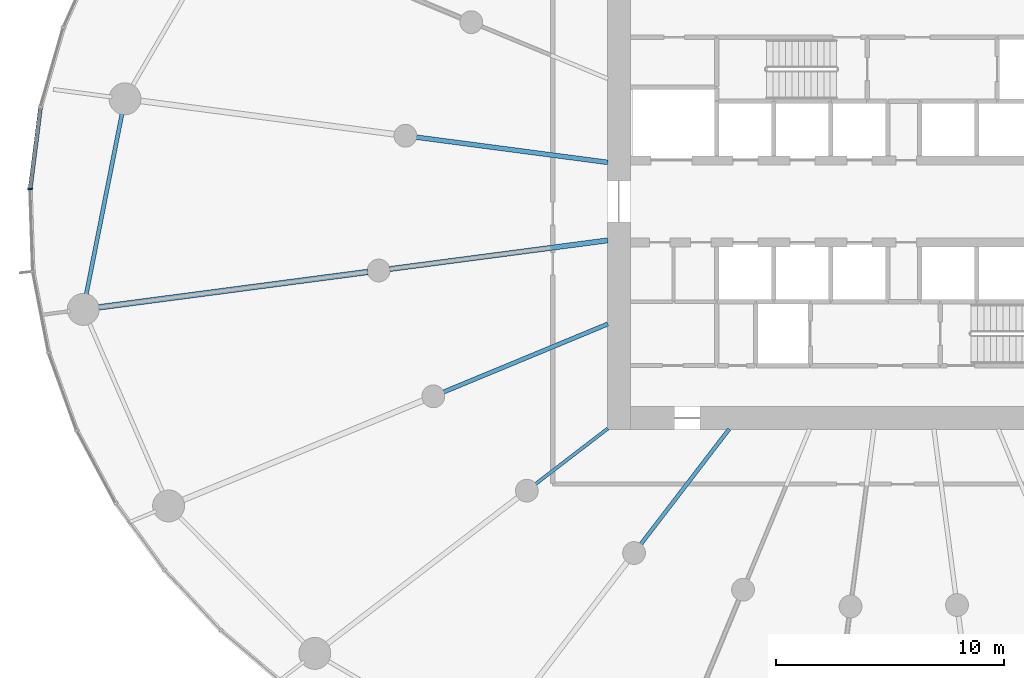
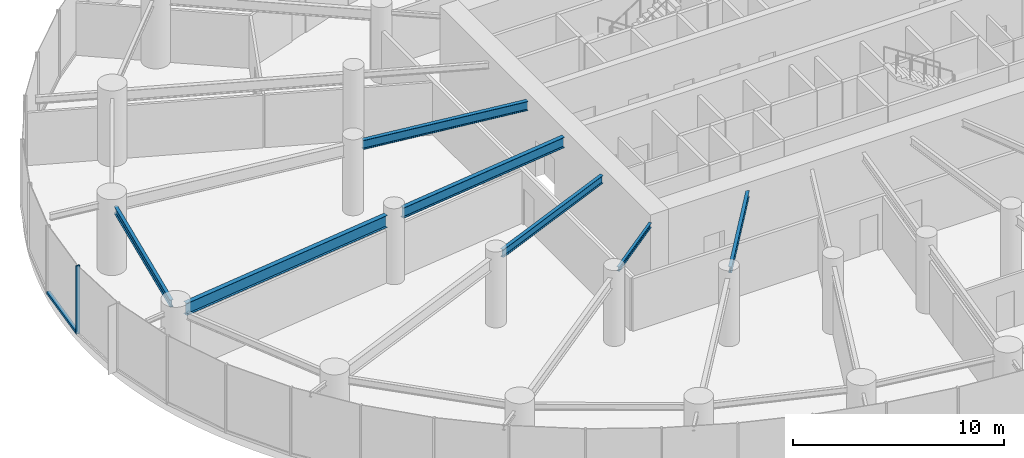
# One storey, part 3 of 19: 7 beams, 2 members, 1 element without a shape of its own.
"""IFC4 building model written with IfcOpenShell, lengths in metres."""

from ifc_helpers import new_model, si_unit, direction, frame, origin, origin_2d, place, context, subcontext, project, spatial, rectangle, i_section, extrude, source, transform, mapped, material, layer, layer_set, material_profile, profile_set, type_object, element, aggregate, save


model = new_model("IFC4")

# Units and contexts
model_context = context("Model", 3, precision=1e-05, world=origin(), true_north=direction((0.0, 1.0)))
body_context = subcontext(model_context, "Body", "Model", "MODEL_VIEW")
ifc_project = project(units=[si_unit("LENGTHUNIT", "METRE"), si_unit("AREAUNIT", "SQUARE_METRE"), si_unit("VOLUMEUNIT", "CUBIC_METRE"), si_unit("PLANEANGLEUNIT", "RADIAN"), si_unit("MASSUNIT", "GRAM", prefix="KILO")], contexts=[model_context])

# Site, building, storey
site_placement = place(None, origin())
site = spatial("IfcSite", under=ifc_project, at=site_placement, CompositionType="ELEMENT")
building_placement = place(site_placement, origin())
building = spatial("IfcBuilding", under=site, at=building_placement, Name="Spindrift Exchange Tower", CompositionType="ELEMENT")
storey_placement = place(building_placement, frame((0.0, 0.0, 27.0)))
storey = spatial("IfcBuildingStorey", under=building, at=storey_placement, Name="L06", CompositionType="ELEMENT", Elevation=27.0)

# Beams
ifc_material_1 = material(Name="Steel Grade 300", Category="steel")
ifc_material_profile_1 = material_profile(ifc_material_1, i_section(OverallWidth=0.22802734375, OverallDepth=0.60693359375, WebThickness=0.01123046875, FlangeThickness=0.017333984375, FilletRadius=0.013916015625, at=origin_2d()), Name="610UB113")
ifc_profile_set_1 = profile_set([ifc_material_profile_1], Name="Steel Grade 300")
beam_type_1 = type_object("IfcBeamType", Name="Floor Beam 610UB113 Steel Grade 300", PredefinedType="BEAM", material=ifc_profile_set_1)
shared_shape_1 = source(origin(), body_context, "Body", "SweptSolid", [
    extrude(i_section(OverallWidth=0.22802734375, OverallDepth=0.60693359375, WebThickness=0.01123046875, FlangeThickness=0.017333984375, FilletRadius=0.013916015625, at=origin_2d()), origin(), (0.0, 0.0, 1.0), 9.660400390625),
])
beam_1_placement = place(storey_placement, frame((39.019775390625, 46.291015625, 3.646484375), z_axis=(-0.99144767089, -0.130504850054, 0.0), x_axis=(0.130504850054, -0.99144767089, 0.0)))
element("IfcBeam", 1, at=beam_1_placement, inside=storey, type_object=beam_type_1, Name="L06 radial beam R13A", PredefinedType="BEAM", context=body_context, shape_type="MappedRepresentation", body=[
    mapped(shared_shape_1, transform((0.0, 0.0, 0.0), scale=1.0)),
])
ifc_material_profile_2 = material_profile(ifc_material_1, i_section(OverallWidth=0.25, OverallDepth=0.699951171875, WebThickness=0.008056640625, FlangeThickness=0.011962890625, at=origin_2d()), Name="700WB115")
ifc_profile_set_2 = profile_set([ifc_material_profile_2], Name="Steel Grade 300")
beam_type_2 = type_object("IfcBeamType", Name="Floor Beam 700WB115 Steel Grade 300", PredefinedType="BEAM", material=ifc_profile_set_2)
shared_shape_2 = source(origin(), body_context, "Body", "SweptSolid", [
    extrude(i_section(OverallWidth=0.25, OverallDepth=0.699951171875, WebThickness=0.008056640625, FlangeThickness=0.011962890625, at=origin_2d()), origin(), (0.0, 0.0, 1.0), 12.00830078125),
])
beam_2_placement = place(storey_placement, frame((28.490234375, 44.90478515625, 3.60009765625), z_axis=(-0.991444950947, -0.130525511844, 0.0), x_axis=(0.130525511844, -0.991444950947, 0.0)))
element("IfcBeam", 2, at=beam_2_placement, inside=storey, type_object=beam_type_2, Name="L06 radial beam R13B", PredefinedType="BEAM", context=body_context, shape_type="MappedRepresentation", body=[
    mapped(shared_shape_2, transform((0.0, 0.0, 0.0), scale=1.0)),
])
ifc_material_profile_3 = material_profile(ifc_material_1, i_section(OverallWidth=0.18994140625, OverallDepth=0.45703125, WebThickness=0.009033203125, FlangeThickness=0.014404296875, FilletRadius=0.013916015625, at=origin_2d()), Name="460UB74.6")
ifc_profile_set_3 = profile_set([ifc_material_profile_3], Name="Steel Grade 300")
beam_type_3 = type_object("IfcBeamType", Name="Floor Beam 460UB74.6 Steel Grade 300", PredefinedType="BEAM", material=ifc_profile_set_3)
shared_shape_3 = source(origin(), body_context, "Body", "SweptSolid", [
    extrude(i_section(OverallWidth=0.18994140625, OverallDepth=0.45703125, WebThickness=0.009033203125, FlangeThickness=0.014404296875, FilletRadius=0.013916015625, at=origin_2d()), origin(), (0.0, 0.0, 1.0), 7.808837890625),
])
beam_3_placement = place(storey_placement, frame((39.0185546875, 42.622802734375, 3.721435546875), z_axis=(-0.92387965154, -0.382683145003, 0.0), x_axis=(0.382683145003, -0.92387965154, 0.0)))
element("IfcBeam", 3, at=beam_3_placement, inside=storey, type_object=beam_type_3, Name="L06 radial beam R14A", PredefinedType="BEAM", context=body_context, shape_type="MappedRepresentation", body=[
    mapped(shared_shape_3, transform((0.0, 0.0, 0.0), scale=1.0)),
])
ifc_material_profile_4 = material_profile(ifc_material_1, i_section(OverallWidth=0.14599609375, OverallDepth=0.251953125, WebThickness=0.006103515625, FlangeThickness=0.008544921875, FilletRadius=0.011962890625, at=origin_2d()), Name="250UB31.4")
ifc_profile_set_4 = profile_set([ifc_material_profile_4], Name="Steel Grade 300")
beam_type_4 = type_object("IfcBeamType", Name="Floor Beam 250UB31.4 Steel Grade 300", PredefinedType="BEAM", material=ifc_profile_set_4)
shared_shape_4 = source(origin(), body_context, "Body", "SweptSolid", [
    extrude(i_section(OverallWidth=0.14599609375, OverallDepth=0.251953125, WebThickness=0.006103515625, FlangeThickness=0.008544921875, FilletRadius=0.011962890625, at=origin_2d()), origin(), (0.0, 0.0, 1.0), 3.99560546875),
])
beam_4_placement = place(storey_placement, frame((39.015869140625, 38.036865234375, 3.823974609375), z_axis=(-0.793352561574, -0.608762443851, 0.0), x_axis=(0.608762443851, -0.793352561574, 0.0)))
element("IfcBeam", 4, at=beam_4_placement, inside=storey, type_object=beam_type_4, Name="L06 radial beam R15A", PredefinedType="BEAM", context=body_context, shape_type="MappedRepresentation", body=[
    mapped(shared_shape_4, transform((0.0, 0.0, 0.0), scale=1.0)),
])
ifc_material_profile_5 = material_profile(ifc_material_1, i_section(OverallWidth=0.172119140625, OverallDepth=0.35888671875, WebThickness=0.008056640625, FlangeThickness=0.012939453125, FilletRadius=0.013916015625, at=origin_2d()), Name="360UB56.7")
ifc_profile_set_5 = profile_set([ifc_material_profile_5], Name="Steel Grade 300")
beam_type_5 = type_object("IfcBeamType", Name="Floor Beam 360UB56.7 Steel Grade 300", PredefinedType="BEAM", material=ifc_profile_set_5)
shared_shape_5 = source(origin(), body_context, "Body", "SweptSolid", [
    extrude(i_section(OverallWidth=0.172119140625, OverallDepth=0.35888671875, WebThickness=0.008056640625, FlangeThickness=0.012939453125, FilletRadius=0.013916015625, at=origin_2d()), origin(), (0.0, 0.0, 1.0), 6.37646484375),
])
beam_5_placement = place(storey_placement, frame((44.3388671875, 38.015869140625, 3.7705078125), z_axis=(-0.608766669952, -0.793349318747, 0.0), x_axis=(0.793349318747, -0.608766669952, 0.0)))
element("IfcBeam", 5, at=beam_5_placement, inside=storey, type_object=beam_type_5, Name="L06 radial beam R16A", PredefinedType="BEAM", context=body_context, shape_type="MappedRepresentation", body=[
    mapped(shared_shape_5, transform((0.0, 0.0, 0.0), scale=1.0)),
])
ifc_material_profile_6 = material_profile(ifc_material_1, i_section(OverallWidth=0.208984375, OverallDepth=0.532958984375, WebThickness=0.01025390625, FlangeThickness=0.015625, FilletRadius=0.013916015625, at=origin_2d()), Name="530UB92.4")
ifc_profile_set_6 = profile_set([ifc_material_profile_6], Name="Steel Grade 300")
beam_type_6 = type_object("IfcBeamType", Name="Floor Beam 530UB92.4 Steel Grade 300", PredefinedType="BEAM", material=ifc_profile_set_6)
shared_shape_6 = source(origin(), body_context, "Body", "SweptSolid", [
    extrude(i_section(OverallWidth=0.208984375, OverallDepth=0.532958984375, WebThickness=0.01025390625, FlangeThickness=0.015625, FilletRadius=0.013916015625, at=origin_2d()), origin(), (0.0, 0.0, 1.0), 8.4794921875),
])
beam_6_placement = place(storey_placement, frame((39.019775390625, 49.708984375, 3.68359375), z_axis=(-0.991446551951, 0.13051335037, 0.0), x_axis=(-0.13051335037, -0.991446551951, 0.0)))
element("IfcBeam", 6, at=beam_6_placement, inside=storey, type_object=beam_type_6, Name="L06 radial beam R12A", PredefinedType="BEAM", context=body_context, shape_type="MappedRepresentation", body=[
    mapped(shared_shape_6, transform((0.0, 0.0, 0.0), scale=1.0)),
])
ifc_material_profile_7 = material_profile(ifc_material_1, i_section(OverallWidth=0.177978515625, OverallDepth=0.406005859375, WebThickness=0.0078125, FlangeThickness=0.0126953125, FilletRadius=0.013916015625, at=origin_2d()), Name="410UB59.7")
ifc_profile_set_7 = profile_set([ifc_material_profile_7], Name="Steel Grade 300")
beam_type_7 = type_object("IfcBeamType", Name="Edge Beam 410UB59.7 Steel Grade 300", PredefinedType="SPANDREL", material=ifc_profile_set_7)
shared_shape_7 = source(origin(), body_context, "Body", "SweptSolid", [
    extrude(i_section(OverallWidth=0.177978515625, OverallDepth=0.406005859375, WebThickness=0.0078125, FlangeThickness=0.0126953125, FilletRadius=0.013916015625, at=origin_2d()), origin(), (0.0, 0.0, 1.0), 8.2548828125),
])
beam_7_placement = place(storey_placement, frame((17.72607421875, 51.928466796875, 3.7470703125), z_axis=(-0.194278723288, -0.9809463684, 0.0), x_axis=(0.9809463684, -0.194278723288, 0.0)))
element("IfcBeam", 7, at=beam_7_placement, inside=storey, type_object=beam_type_7, Name="L06 edge beam E12", PredefinedType="SPANDREL", context=body_context, shape_type="MappedRepresentation", body=[
    mapped(shared_shape_7, transform((0.0, 0.0, 0.0), scale=1.0)),
])

# Curtain wall, members
ifc_material_2 = material(Name="Fritted laminated glass with bronze frame", Category="glass")
ifc_layer = layer(ifc_material_2, 0.199951171875)
ifc_layer_set = layer_set([ifc_layer], Name="ZONE 1 BRONZE FRITTED WALL")
curtain_wall_type = type_object("IfcCurtainWallType", Name="ZONE 1 BRONZE FRITTED WALL", PredefinedType="NOTDEFINED", material=ifc_layer_set)
curtain_wall_placement = place(storey_placement, origin())
curtain_wall = element("IfcCurtainWall", 8, at=curtain_wall_placement, inside=storey, type_object=curtain_wall_type, Name="L06 Zone 1 Bronze Fritted Wall run 5", PredefinedType="NOTDEFINED")
ifc_material_3 = material(Name="Bronze anodised aluminium", Category="aluminium")
ifc_material_profile_8 = material_profile(ifc_material_3, rectangle(XDim=0.080078125, YDim=0.199951171875, at=origin_2d()), Name="ZONE 1 BRONZE FRITTED WALL MULLION 80X200")
ifc_profile_set_8 = profile_set([ifc_material_profile_8], Name="Bronze anodised aluminium")
member_type_1 = type_object("IfcMemberType", Name="ZONE 1 BRONZE FRITTED WALL MULLION 80X200", PredefinedType="MULLION", material=ifc_profile_set_8)
shared_shape_8 = source(origin(), body_context, "Body", "SweptSolid", [
    extrude(rectangle(XDim=0.080078125, YDim=0.199951171875, at=origin_2d()), origin(), (0.0, 0.0, 1.0), 3.949951171875),
])
member_1_placement = place(storey_placement, frame((13.683349609375, 48.54541015625, 0.0), z_axis=(0.0, 0.0, 1.0), x_axis=(-0.046346050683, -0.998925444458, 0.0)))
member_1 = element("IfcMember", 9, at=member_1_placement, type_object=member_type_1, Name="L06 mullion CW-1.30", PredefinedType="MULLION", context=body_context, shape_type="MappedRepresentation", body=[
    mapped(shared_shape_8, transform((0.0, 0.0, 0.0), scale=1.0)),
])
ifc_material_profile_9 = material_profile(ifc_material_3, rectangle(XDim=0.179931640625, YDim=0.14990234375, at=origin_2d()), Name="ZONE 1 BRONZE FRITTED WALL TRANSOM 180X150")
ifc_profile_set_9 = profile_set([ifc_material_profile_9], Name="Bronze anodised aluminium")
member_type_2 = type_object("IfcMemberType", Name="ZONE 1 BRONZE FRITTED WALL TRANSOM 180X150", PredefinedType="USERDEFINED", material=ifc_profile_set_9)
shared_shape_9 = source(origin(), body_context, "Body", "SweptSolid", [
    extrude(rectangle(XDim=0.179931640625, YDim=0.14990234375, at=origin_2d()), origin(), (0.0, 0.0, 1.0), 3.54443359375),
])
member_2_placement = place(storey_placement, frame((14.13330078125, 52.1015625, 0.074951171875), z_axis=(-0.125501235172, -0.992093463324, 0.0), x_axis=(0.992093463324, -0.125501235172, 0.0)))
member_2 = element("IfcMember", 10, at=member_2_placement, type_object=member_type_2, Name="L06 transom CW-1.29", ObjectType="TRANSOM", PredefinedType="USERDEFINED", context=body_context, shape_type="MappedRepresentation", body=[
    mapped(shared_shape_9, transform((0.0, 0.0, 0.0), scale=1.0)),
])
aggregate(curtain_wall, [member_2, member_1])

save(model, "model.ifc")
